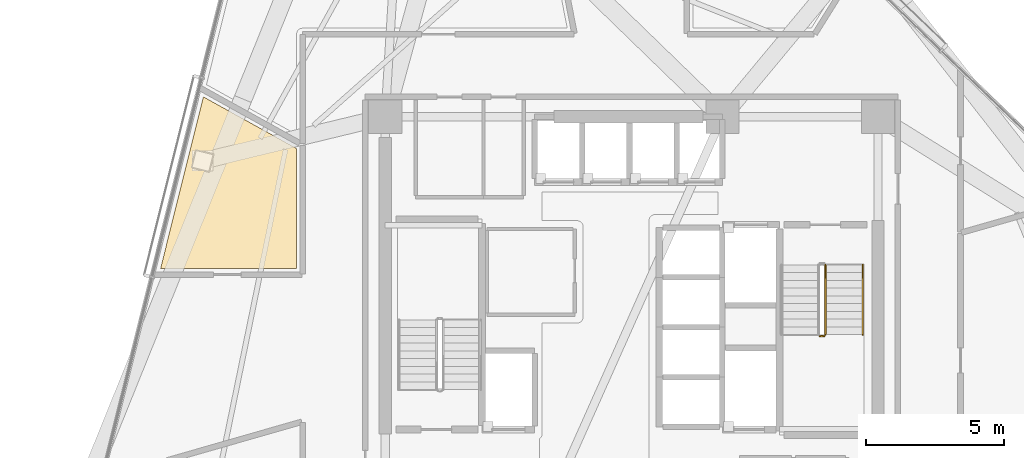
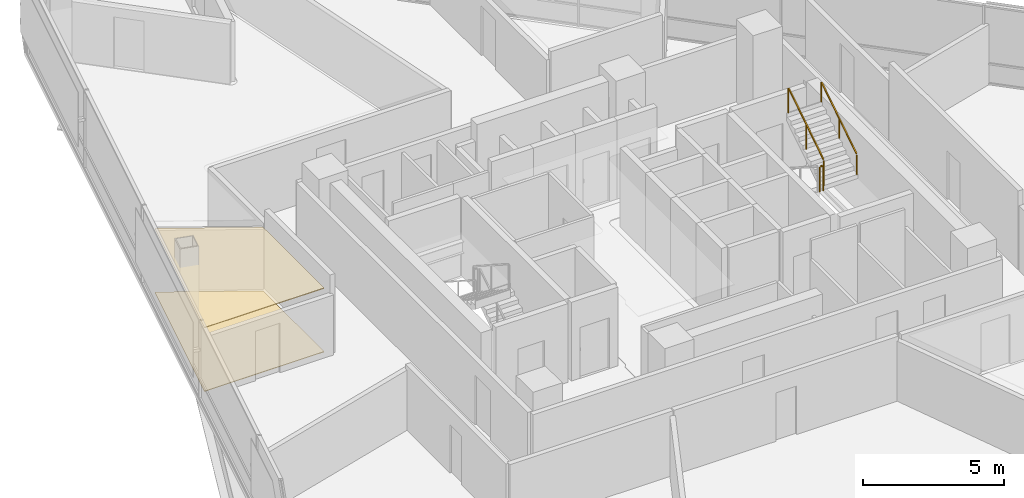
# One storey, part 19 of 21: 3 railings, 2 coverings.
"""IFC4 building model written with IfcOpenShell, lengths in metres."""

from ifc_helpers import new_model, si_unit, direction, frame, origin, origin_2d, place, context, subcontext, project, spatial, polyline, rectangle, outline, extrude, material, layer, layer_set, type_object, element, save


model = new_model("IFC4")

# Units and contexts
model_context = context("Model", 3, precision=1e-05, world=origin(), true_north=direction((0.0, 1.0)))
body_context = subcontext(model_context, "Body", "Model", "MODEL_VIEW")
ifc_project = project(units=[si_unit("LENGTHUNIT", "METRE"), si_unit("AREAUNIT", "SQUARE_METRE"), si_unit("VOLUMEUNIT", "CUBIC_METRE"), si_unit("PLANEANGLEUNIT", "RADIAN"), si_unit("MASSUNIT", "GRAM", prefix="KILO")], contexts=[model_context])

# Site, building, storey
site_placement = place(None, origin())
site = spatial("IfcSite", under=ifc_project, at=site_placement, CompositionType="ELEMENT")
building_placement = place(site_placement, origin())
building = spatial("IfcBuilding", under=site, at=building_placement, Name="Tharavind Bronze Gate", CompositionType="ELEMENT")
storey_placement = place(building_placement, frame((0.0, 0.0, 86.10009765625)))
storey = spatial("IfcBuildingStorey", under=building, at=storey_placement, Name="L21", CompositionType="ELEMENT", Elevation=86.10009765625)

# Coverings
ifc_material_1 = material(Name="Engineered Oak & Carpet Tile", Category="wood")
ifc_layer_1 = layer(ifc_material_1, 0.02490234375)
ifc_layer_set_1 = layer_set([ifc_layer_1], Name="Engineered Oak & Carpet Tile")
covering_type_1 = type_object("IfcCoveringType", Name="ENGINEERED TIMBER FLOORING", PredefinedType="FLOORING", material=ifc_layer_set_1)
covering_1_placement = place(storey_placement, origin())
element("IfcCovering", 1, at=covering_1_placement, inside=storey, type_object=covering_type_1, Name="L21-RM-04 floor finish", PredefinedType="FLOORING", context=body_context, shape_type="SweptSolid", body=[
    extrude(outline(polyline([(-12.10009765625, 2.1201171875), (-12.10009765625, 6.45556640625), (-15.465087890625, 8.32080078125), (-17.01123046875, 2.1201171875), (-12.10009765625, 2.1201171875)])), origin(), (0.0, 0.0, 1.0), 0.02490234375),
])
ifc_material_2 = material(Name="Acoustic Gypsum Board", Category="gypsum")
ifc_layer_2 = layer(ifc_material_2, 0.030029296875)
ifc_layer_set_2 = layer_set([ifc_layer_2], Name="Acoustic Gypsum Board")
covering_type_2 = type_object("IfcCoveringType", Name="GYPSUM SUSPENDED CEILING", PredefinedType="CEILING", material=ifc_layer_set_2)
covering_2_placement = place(storey_placement, frame((0.0, 0.0, 2.75)))
element("IfcCovering", 2, at=covering_2_placement, inside=storey, type_object=covering_type_2, Name="L21-RM-04 suspended ceiling", PredefinedType="CEILING", context=body_context, shape_type="SweptSolid", body=[
    extrude(outline(polyline([(-12.10009765625, 2.1201171875), (-12.10009765625, 6.45556640625), (-15.465087890625, 8.32080078125), (-17.01123046875, 2.1201171875), (-12.10009765625, 2.1201171875)])), origin(), (0.0, 0.0, 1.0), 0.034912109375),
])

# Railings
ifc_material_3 = material(Name="Brushed Bronze Alloy", Category="metal")
railing_type_1 = type_object("IfcRailingType", Name="STAIR BRONZE HANDRAIL 900", PredefinedType="HANDRAIL", material=ifc_material_3)
railing_1_placement = place(storey_placement, frame((8.35009765625, -0.27001953125, 1.97998046875)))
element("IfcRailing", 3, at=railing_1_placement, inside=storey, type_object=railing_type_1, Name="L21 ST2 stair handrail 2", PredefinedType="HANDRAIL", context=body_context, shape_type="SweptSolid", body=[
    extrude(rectangle(XDim=0.048095703125, YDim=0.048095703125, at=origin_2d()), frame((0.0, 0.02685546875, 0.89306640625), z_axis=(0.0, 0.841199657755, 0.540724639528), x_axis=(-1.0, 0.0, 0.0)), (0.0, 0.0, 1.0), 2.931640625),
    extrude(rectangle(XDim=0.0400390625, YDim=0.0400390625, at=origin_2d()), origin(), (0.0, 0.0, 1.0), 0.847900390625),
    extrude(rectangle(XDim=0.0400390625, YDim=0.0400390625, at=origin_2d()), frame((0.0, 1.260009765625, 0.81005859375)), (0.0, 0.0, 1.0), 0.847900390625),
    extrude(rectangle(XDim=0.0400390625, YDim=0.0400390625, at=origin_2d()), frame((0.0, 2.52001953125, 1.619873046875)), (0.0, 0.0, 1.0), 0.847900390625),
])
railing_type_2 = type_object("IfcRailingType", Name="STAIR WELL GUARD RAILING 1120", PredefinedType="GUARDRAIL", material=ifc_material_3)
railing_2_placement = place(storey_placement, frame((6.800048828125, -0.320068359375, 1.7998046875)))
element("IfcRailing", 4, at=railing_2_placement, inside=storey, type_object=railing_type_2, Name="L21 ST2 stair guard 2", PredefinedType="GUARDRAIL", context=body_context, shape_type="SweptSolid", body=[
    extrude(rectangle(XDim=0.048095703125, YDim=0.048095703125, at=origin_2d()), frame((0.031982421875, 0.0, 1.09619140625), z_axis=(1.0, 0.0, 0.0), x_axis=(0.0, 1.0, 0.0)), (0.0, 0.0, 1.0), 0.0859375),
    extrude(rectangle(XDim=0.0400390625, YDim=0.0400390625, at=origin_2d()), origin(), (0.0, 0.0, 1.0), 1.068115234375),
    extrude(rectangle(XDim=0.0400390625, YDim=0.0400390625, at=origin_2d()), frame((0.14990234375, 0.0, 0.0)), (0.0, 0.0, 1.0), 1.068115234375),
])
railing_3_placement = place(storey_placement, frame((7.0, -0.27001953125, 1.97998046875)))
element("IfcRailing", 5, at=railing_3_placement, inside=storey, type_object=railing_type_2, Name="L21 ST2 stair guard 3", PredefinedType="GUARDRAIL", context=body_context, shape_type="SweptSolid", body=[
    extrude(rectangle(XDim=0.048095703125, YDim=0.048095703125, at=origin_2d()), frame((0.0, 0.02685546875, 1.11328125), z_axis=(0.0, 0.841199657755, 0.540724639528), x_axis=(-1.0, 0.0, 0.0)), (0.0, 0.0, 1.0), 2.931640625),
    extrude(rectangle(XDim=0.0400390625, YDim=0.0400390625, at=origin_2d()), origin(), (0.0, 0.0, 1.0), 1.068115234375),
    extrude(rectangle(XDim=0.0400390625, YDim=0.0400390625, at=origin_2d()), frame((0.0, 1.260009765625, 0.81005859375)), (0.0, 0.0, 1.0), 1.068115234375),
    extrude(rectangle(XDim=0.0400390625, YDim=0.0400390625, at=origin_2d()), frame((0.0, 2.52001953125, 1.619873046875)), (0.0, 0.0, 1.0), 1.068115234375),
])

save(model, "model.ifc")
